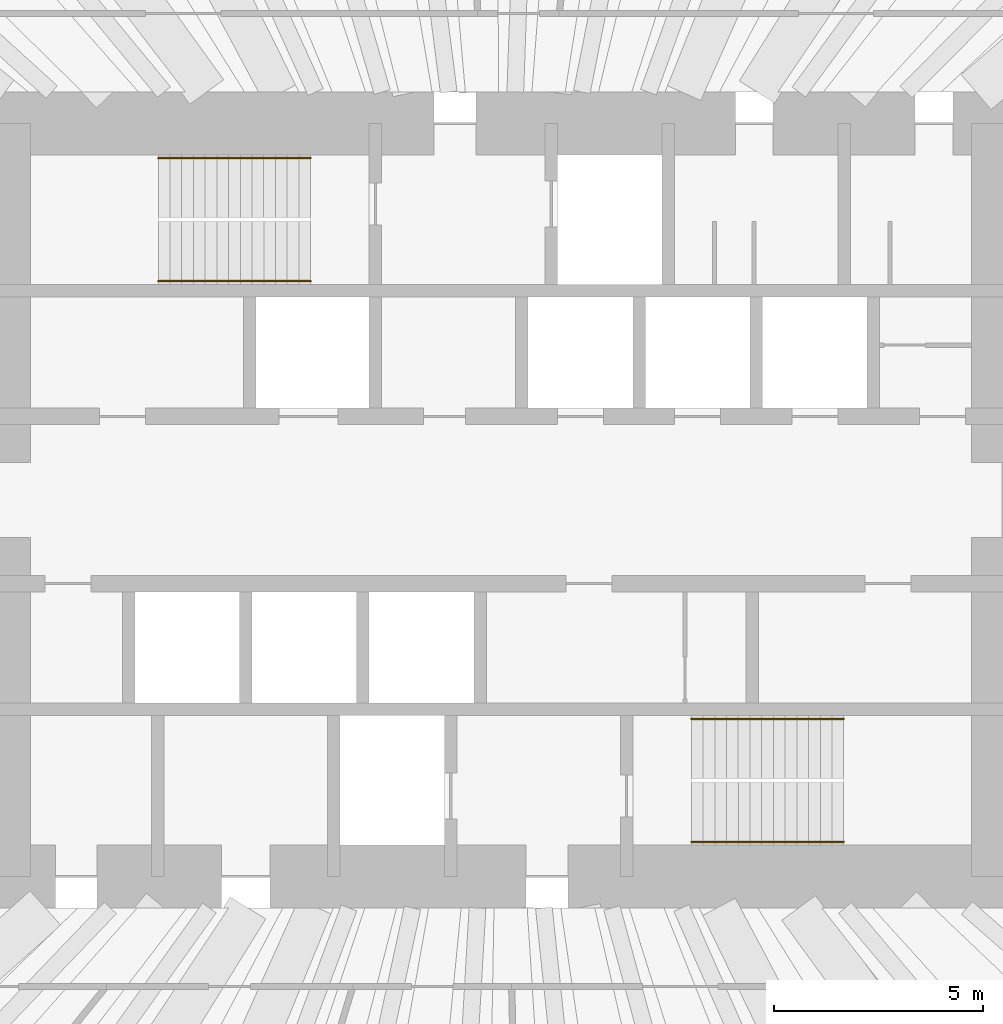
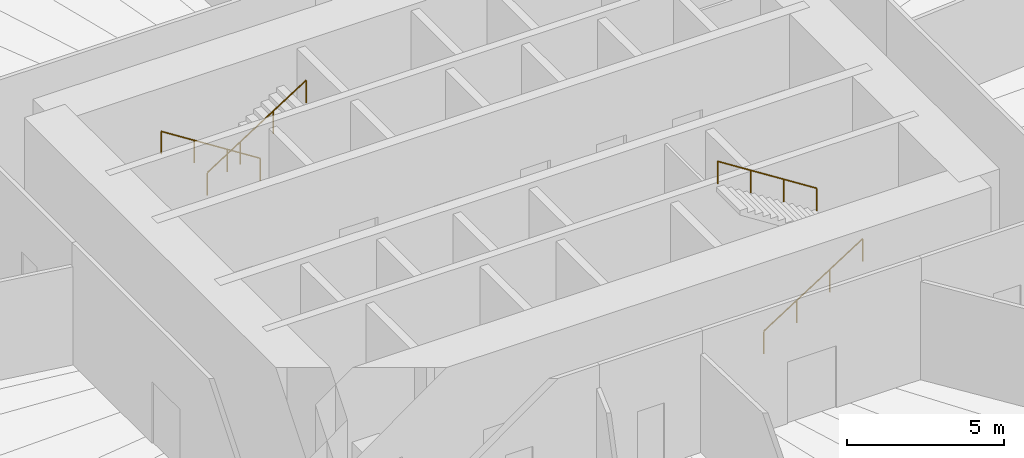
# One storey, part 13 of 13: 4 railings.
"""IFC4 building model written with IfcOpenShell, lengths in metres."""

from ifc_helpers import new_model, si_unit, direction, frame, origin, origin_2d, place, context, subcontext, project, spatial, circle, extrude, material, type_object, element, save


model = new_model("IFC4")

# Units and contexts
model_context = context("Model", 3, precision=1e-05, world=origin(), true_north=direction((0.0, 1.0)))
body_context = subcontext(model_context, "Body", "Model", "MODEL_VIEW")
ifc_project = project(units=[si_unit("LENGTHUNIT", "METRE"), si_unit("AREAUNIT", "SQUARE_METRE"), si_unit("VOLUMEUNIT", "CUBIC_METRE"), si_unit("PLANEANGLEUNIT", "RADIAN"), si_unit("MASSUNIT", "GRAM", prefix="KILO")], contexts=[model_context])

# Site, building, storey
site_placement = place(None, origin())
site = spatial("IfcSite", under=ifc_project, at=site_placement, CompositionType="ELEMENT")
building_placement = place(site_placement, origin())
building = spatial("IfcBuilding", under=site, at=building_placement, Name="Qingtian Harvest Tower", CompositionType="ELEMENT")
storey_placement = place(building_placement, frame((0.0, 0.0, 92.0)))
storey = spatial("IfcBuildingStorey", under=building, at=storey_placement, Name="L18", CompositionType="ELEMENT", Elevation=92.0)

# Railings
ifc_material = material(Name="Stainless steel handrail", Category="steel")
railing_type = type_object("IfcRailingType", Name="Handrail HR1", PredefinedType="HANDRAIL", material=ifc_material)
railing_1_placement = place(storey_placement, frame((-4.550048828125, 8.169921875, 0.178466796875)))
element("IfcRailing", 1, at=railing_1_placement, inside=storey, type_object=railing_type, Name="Handrail HR1 S1 flight 1", PredefinedType="HANDRAIL", context=body_context, shape_type="SweptSolid", body=[
    extrude(circle(Radius=0.02392578125, at=origin_2d()), frame((0.0, 0.0, 0.8759765625), z_axis=(-0.843111507901, 0.0, 0.53773877045), x_axis=(0.0, -1.0, 0.0)), (0.0, 0.0, 1.0), 4.317138671875),
    extrude(circle(Radius=0.02099609375, at=origin_2d()), origin(), (0.0, 0.0, 1.0), 0.851806640625),
    extrude(circle(Radius=0.02099609375, at=origin_2d()), frame((-1.21337890625, 0.0, 0.77392578125)), (0.0, 0.0, 1.0), 0.851806640625),
    extrude(circle(Radius=0.02099609375, at=origin_2d()), frame((-2.426513671875, 0.0, 1.547607421875)), (0.0, 0.0, 1.0), 0.851806640625),
    extrude(circle(Radius=0.02099609375, at=origin_2d()), frame((-3.639892578125, 0.0, 2.321533203125)), (0.0, 0.0, 1.0), 0.851806640625),
])
for number, where, name in (
    (2, (-8.18994140625, 5.22998046875, 2.678466796875), "Handrail HR1 S1 flight 2"),
    (3, (4.550048828125, -8.169921875, 0.178466796875), "Handrail HR1 S2 flight 1"),
):
    element("IfcRailing", number, at=place(storey_placement, frame(where)), inside=storey, type_object=railing_type, Name=name, PredefinedType="HANDRAIL", context=body_context, shape_type="SweptSolid", body=[
        extrude(circle(Radius=0.02392578125, at=origin_2d()), frame((0.0, 0.0, 0.8759765625), z_axis=(0.843111507901, 0.0, 0.53773877045), x_axis=(0.0, 1.0, 0.0)), (0.0, 0.0, 1.0), 4.317138671875),
        extrude(circle(Radius=0.02099609375, at=origin_2d()), origin(), (0.0, 0.0, 1.0), 0.851806640625),
        extrude(circle(Radius=0.02099609375, at=origin_2d()), frame((1.21337890625, 0.0, 0.77392578125)), (0.0, 0.0, 1.0), 0.851806640625),
        extrude(circle(Radius=0.02099609375, at=origin_2d()), frame((2.426513671875, 0.0, 1.547607421875)), (0.0, 0.0, 1.0), 0.851806640625),
        extrude(circle(Radius=0.02099609375, at=origin_2d()), frame((3.639892578125, 0.0, 2.321533203125)), (0.0, 0.0, 1.0), 0.851806640625),
    ])
railing_2_placement = place(storey_placement, frame((8.18994140625, -5.22998046875, 2.678466796875)))
element("IfcRailing", 4, at=railing_2_placement, inside=storey, type_object=railing_type, Name="Handrail HR1 S2 flight 2", PredefinedType="HANDRAIL", context=body_context, shape_type="SweptSolid", body=[
    extrude(circle(Radius=0.02392578125, at=origin_2d()), frame((0.0, 0.0, 0.8759765625), z_axis=(-0.843111507901, 0.0, 0.53773877045), x_axis=(0.0, -1.0, 0.0)), (0.0, 0.0, 1.0), 4.317138671875),
    extrude(circle(Radius=0.02099609375, at=origin_2d()), origin(), (0.0, 0.0, 1.0), 0.851806640625),
    extrude(circle(Radius=0.02099609375, at=origin_2d()), frame((-1.21337890625, 0.0, 0.77392578125)), (0.0, 0.0, 1.0), 0.851806640625),
    extrude(circle(Radius=0.02099609375, at=origin_2d()), frame((-2.426513671875, 0.0, 1.547607421875)), (0.0, 0.0, 1.0), 0.851806640625),
    extrude(circle(Radius=0.02099609375, at=origin_2d()), frame((-3.639892578125, 0.0, 2.321533203125)), (0.0, 0.0, 1.0), 0.851806640625),
])

save(model, "model.ifc")
